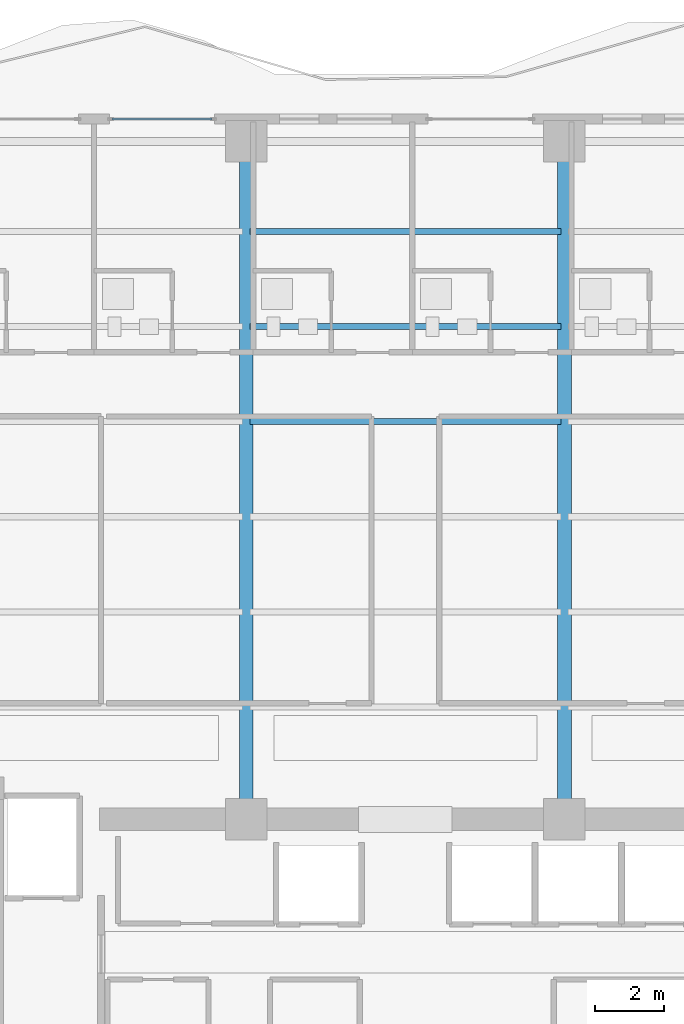
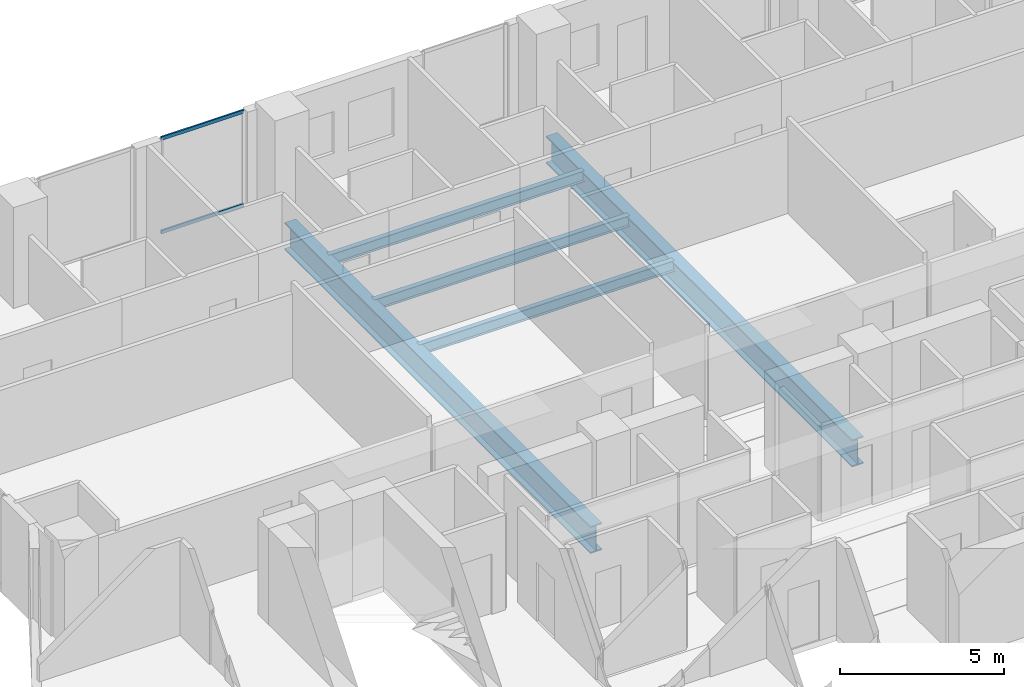
# One storey, part 18 of 32: 5 beams, 2 members, 1 element without a shape of its own.
"""IFC4 building model written with IfcOpenShell, lengths in metres."""

from ifc_helpers import new_model, si_unit, direction, frame, origin, origin_2d, place, context, subcontext, project, spatial, hollow_rectangle, i_section, extrude, material, layer, layer_set, material_profile, profile_set, type_object, element, aggregate, save


model = new_model("IFC4")

# Units and contexts
model_context = context("Model", 3, precision=1e-05, world=origin(), true_north=direction((0.0, 1.0)))
body_context = subcontext(model_context, "Body", "Model", "MODEL_VIEW")
ifc_project = project(units=[si_unit("LENGTHUNIT", "METRE"), si_unit("AREAUNIT", "SQUARE_METRE"), si_unit("VOLUMEUNIT", "CUBIC_METRE"), si_unit("PLANEANGLEUNIT", "RADIAN"), si_unit("MASSUNIT", "GRAM", prefix="KILO")], contexts=[model_context])

# Site, building, storey
site_placement = place(None, origin())
site = spatial("IfcSite", under=ifc_project, at=site_placement, CompositionType="ELEMENT")
building_placement = place(site_placement, origin())
building = spatial("IfcBuilding", under=site, at=building_placement, Name="Zuhayl Quay Hotel", CompositionType="ELEMENT")
storey_placement = place(building_placement, frame((0.0, 0.0, 226.14990234375)))
storey = spatial("IfcBuildingStorey", under=building, at=storey_placement, Name="L57", CompositionType="ELEMENT", Elevation=226.14990234375)

# Beams
ifc_material_1 = material(Name="Steel ASTM A992 Grade 50", Category="steel")
ifc_material_profile_1 = material_profile(ifc_material_1, i_section(OverallWidth=0.177978515625, OverallDepth=0.406005859375, WebThickness=0.0078125, FlangeThickness=0.0126953125, at=origin_2d()), Name="W16X40")
ifc_profile_set_1 = profile_set([ifc_material_profile_1], Name="Steel ASTM A992 Grade 50")
beam_type_1 = type_object("IfcBeamType", Name="BM_J2B_W16X40", PredefinedType="JOIST", material=ifc_profile_set_1)
for number, where, z_axis, x_axis, name in (
    (1, (-4.493896484375, 24.85009765625, -0.4228515625), (1.0, 0.0, 0.0), (0.0, 1.0, 0.0), "L57 Floor Beam FJ_L57_4_2"),
    (2, (-4.493896484375, 27.60009765625, -0.4228515625), (1.0, 0.0, 0.0), (0.0, 1.0, 0.0), "L57 Floor Beam FJ_L57_5_2"),
    (3, (-4.493896484375, 30.35009765625, -0.4228515625), (1.0, 0.0, 0.0), (0.0, 1.0, 0.0), "L57 Floor Beam FJ_L57_6_2"),
):
    element("IfcBeam", number, at=place(storey_placement, frame(where, z_axis=z_axis, x_axis=x_axis)), inside=storey, type_object=beam_type_1, Name=name, PredefinedType="JOIST", context=body_context, shape_type="SweptSolid", body=[
        extrude(i_section(OverallWidth=0.177978515625, OverallDepth=0.406005859375, WebThickness=0.0078125, FlangeThickness=0.0126953125, at=origin_2d()), origin(), (0.0, 0.0, 1.0), 8.98779296875),
    ])
ifc_material_profile_2 = material_profile(ifc_material_1, i_section(OverallWidth=0.40087890625, OverallDepth=1.010986328125, WebThickness=0.023681640625, FlangeThickness=0.0419921875, at=origin_2d()), Name="W40X297")
ifc_profile_set_2 = profile_set([ifc_material_profile_2], Name="Steel ASTM A992 Grade 50")
beam_type_2 = type_object("IfcBeamType", Name="BM_TG2_W40X297", PredefinedType="BEAM", material=ifc_profile_set_2)
for number, where, z_axis, x_axis, name in (
    (4, (-4.60009765625, 13.800048828125, -0.725341796875), (0.0, 1.0, 0.0), (-1.0, 0.0, 0.0), "L57 Floor Beam FG_N_L57_2"),
    (5, (4.60009765625, 13.800048828125, -0.725341796875), (0.0, 1.0, 0.0), (-1.0, 0.0, 0.0), "L57 Floor Beam FG_N_L57_3"),
):
    element("IfcBeam", number, at=place(storey_placement, frame(where, z_axis=z_axis, x_axis=x_axis)), inside=storey, type_object=beam_type_2, Name=name, PredefinedType="BEAM", context=body_context, shape_type="SweptSolid", body=[
        extrude(i_section(OverallWidth=0.40087890625, OverallDepth=1.010986328125, WebThickness=0.023681640625, FlangeThickness=0.0419921875, at=origin_2d()), origin(), (0.0, 0.0, 1.0), 18.64990234375),
    ])

# Curtain wall, members
ifc_material_2 = material(Name="Anodised Aluminium 6063-T6", Category="aluminium")
ifc_layer = layer(ifc_material_2, 0.175048828125, Name="Anodised Aluminium 6063-T6", Category="aluminium")
ifc_layer_set = layer_set([ifc_layer], Name="Anodised Aluminium 6063-T6")
curtain_wall_type = type_object("IfcCurtainWallType", Name="CW_SYS_Z3", PredefinedType="USERDEFINED", material=ifc_layer_set)
curtain_wall_placement = place(storey_placement, origin())
curtain_wall = element("IfcCurtainWall", 6, at=curtain_wall_placement, inside=storey, type_object=curtain_wall_type, Name="L57 Curtain Wall ENV_L57_N_CW3", ObjectType="UNITISED CURTAIN WALL", PredefinedType="USERDEFINED")
ifc_material_3 = material(Name="Black-anodised aluminium 6063-T6", Category="aluminium")
ifc_material_profile_3 = material_profile(ifc_material_3, hollow_rectangle(XDim=0.054931640625, YDim=0.1298828125, WallThickness=0.0029296875, at=origin_2d()), Name="ALU130X55")
ifc_profile_set_3 = profile_set([ifc_material_profile_3], Name="Black-anodised aluminium 6063-T6")
member_type = type_object("IfcMemberType", Name="MB_CW_TRN_130", PredefinedType="USERDEFINED", material=ifc_profile_set_3)
member_1_placement = place(storey_placement, frame((-8.485107421875, 33.60009765625, 0.027587890625), z_axis=(1.0, 0.0, 0.0), x_axis=(0.0, 1.0, 0.0)))
member_1 = element("IfcMember", 7, at=member_1_placement, type_object=member_type, Name="CW-Z3 transom 1.1", ObjectType="TRANSOM", PredefinedType="USERDEFINED", context=body_context, shape_type="SweptSolid", body=[
    extrude(hollow_rectangle(XDim=0.054931640625, YDim=0.1298828125, WallThickness=0.0029296875, at=origin_2d()), origin(), (0.0, 0.0, 1.0), 2.900146484375),
])
member_2_placement = place(storey_placement, frame((-8.485107421875, 33.60009765625, 3.502685546875), z_axis=(1.0, 0.0, 0.0), x_axis=(0.0, 1.0, 0.0)))
member_2 = element("IfcMember", 8, at=member_2_placement, type_object=member_type, Name="CW-Z3 transom 1.2", ObjectType="TRANSOM", PredefinedType="USERDEFINED", context=body_context, shape_type="SweptSolid", body=[
    extrude(hollow_rectangle(XDim=0.054931640625, YDim=0.1298828125, WallThickness=0.0029296875, at=origin_2d()), origin(), (0.0, 0.0, 1.0), 2.900146484375),
])
aggregate(curtain_wall, [member_1, member_2])

save(model, "model.ifc")
